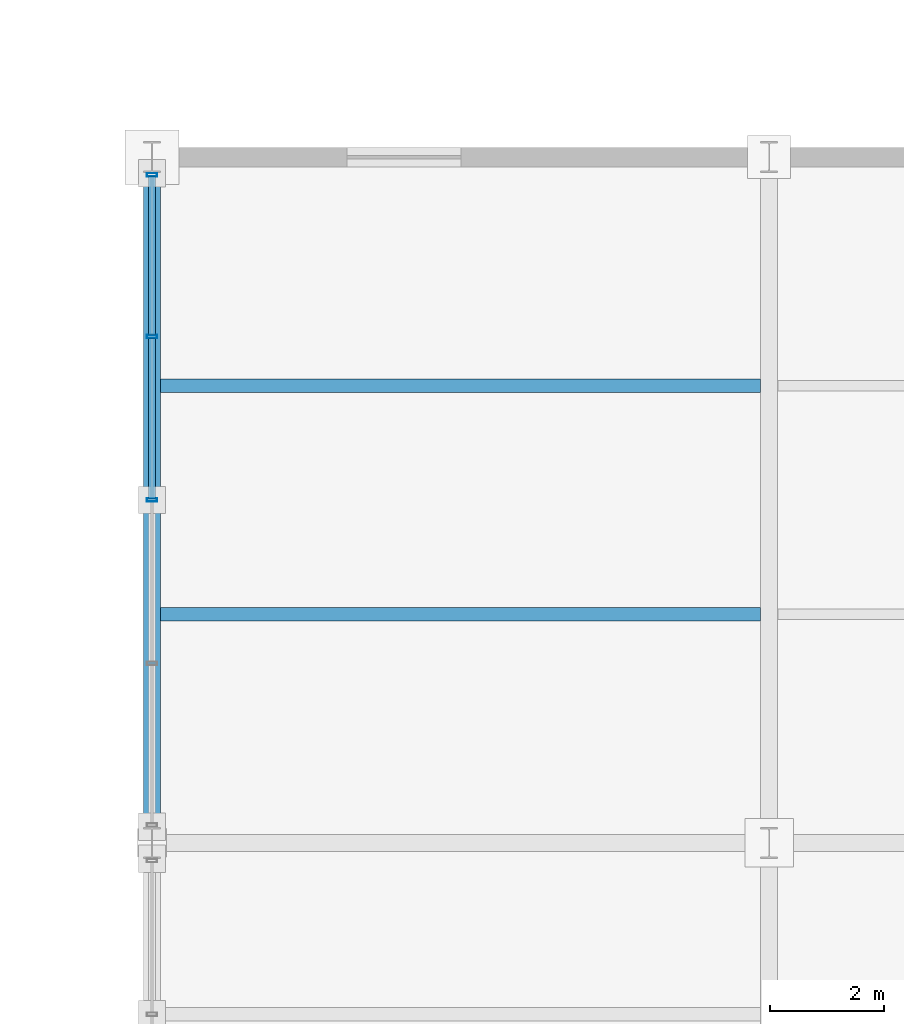
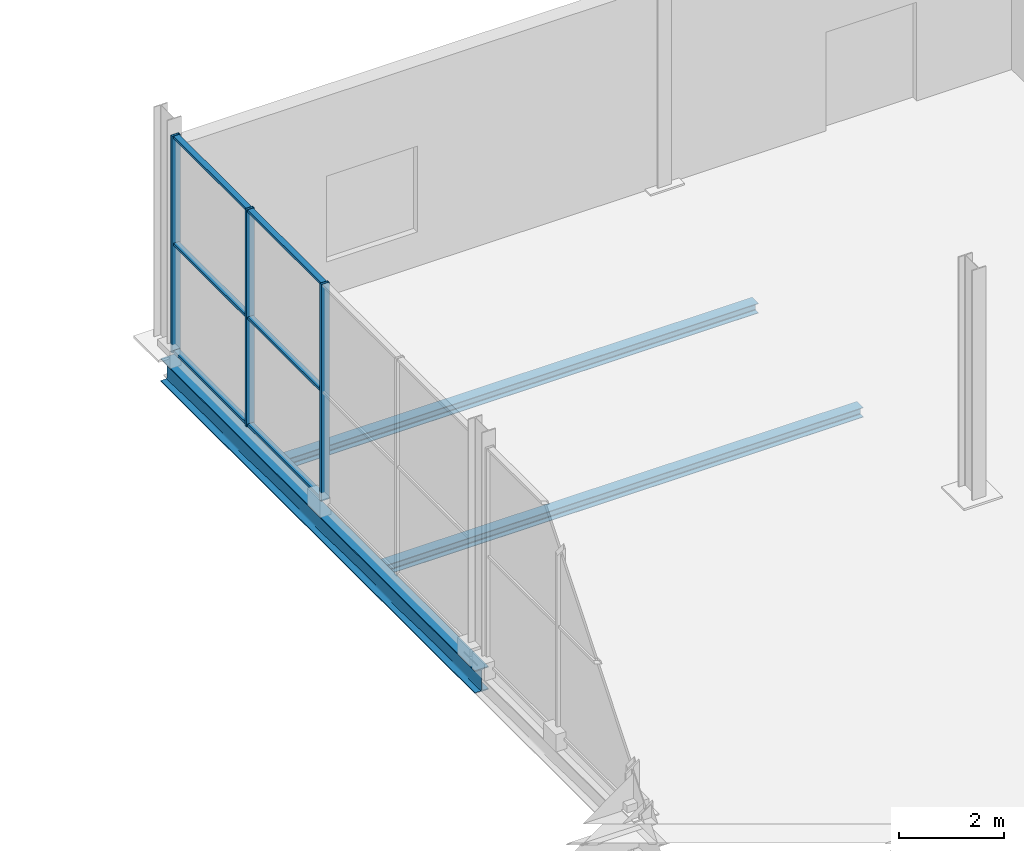
# One storey, part 139 of 196: 9 members, 3 beams, 1 element without a shape of its own.
"""IFC4 building model written with IfcOpenShell, lengths in metres."""

from ifc_helpers import new_model, si_unit, direction, frame, origin, origin_2d, place, context, subcontext, project, spatial, hollow_rectangle, i_section, extrude, material, material_profile, profile_set, type_object, element, aggregate, save


model = new_model("IFC4")

# Units and contexts
model_context = context("Model", 3, precision=1e-05, world=origin(), true_north=direction((0.0, 1.0)))
body_context = subcontext(model_context, "Body", "Model", "MODEL_VIEW")
ifc_project = project(units=[si_unit("LENGTHUNIT", "METRE"), si_unit("AREAUNIT", "SQUARE_METRE"), si_unit("VOLUMEUNIT", "CUBIC_METRE"), si_unit("PLANEANGLEUNIT", "RADIAN"), si_unit("MASSUNIT", "GRAM", prefix="KILO")], contexts=[model_context])

# Site, building, storey
site_placement = place(None, origin())
site = spatial("IfcSite", under=ifc_project, at=site_placement, CompositionType="ELEMENT")
building_placement = place(site_placement, origin())
building = spatial("IfcBuilding", under=site, at=building_placement, Name="Merenkruunu Market Hall", CompositionType="ELEMENT")
storey_placement = place(building_placement, origin())
storey = spatial("IfcBuildingStorey", under=building, at=storey_placement, Name="L00", CompositionType="ELEMENT", Elevation=0.0)

# Curtain wall, members
ifc_material_1 = material(Name="Powder-coated aluminium", Category="aluminium")
curtain_wall_type = type_object("IfcCurtainWallType", Name="Glazed Curtain Wall CW14", PredefinedType="USERDEFINED", material=ifc_material_1)
curtain_wall_placement = place(storey_placement, origin())
curtain_wall = element("IfcCurtainWall", 1, at=curtain_wall_placement, inside=storey, type_object=curtain_wall_type, Name="CW-L00-CWM02-206", ObjectType="GLAZED_FACADE", PredefinedType="USERDEFINED")
ifc_material_profile_1 = material_profile(ifc_material_1, hollow_rectangle(XDim=0.06005859375, YDim=0.179931640625, WallThickness=0.00390625, at=origin_2d()), Name="ALU 60x180x4")
ifc_profile_set_1 = profile_set([ifc_material_profile_1], Name="Powder-coated aluminium")
member_type_1 = type_object("IfcMemberType", Name="Curtain Wall Mullion CWM02", PredefinedType="MULLION", material=ifc_profile_set_1)
member_1_placement = place(storey_placement, frame((148.800048828125, 57.60009765625, 0.0), z_axis=(0.0, 0.0, 1.0), x_axis=(0.0, 1.0, 0.0)))
member_1 = element("IfcMember", 2, at=member_1_placement, type_object=member_type_1, Name="CW14 mullion 3", PredefinedType="MULLION", context=body_context, shape_type="SweptSolid", body=[
    extrude(hollow_rectangle(XDim=0.06005859375, YDim=0.179931640625, WallThickness=0.00390625, at=origin_2d()), origin(), (0.0, 0.0, 1.0), 5.050048828125),
])
member_2_placement = place(storey_placement, frame((148.800048828125, 60.4599609375, 0.0), z_axis=(0.0, 0.0, 1.0), x_axis=(0.0, 1.0, 0.0)))
member_2 = element("IfcMember", 3, at=member_2_placement, type_object=member_type_1, Name="CW14 mullion 4", PredefinedType="MULLION", context=body_context, shape_type="SweptSolid", body=[
    extrude(hollow_rectangle(XDim=0.06005859375, YDim=0.179931640625, WallThickness=0.00390625, at=origin_2d()), origin(), (0.0, 0.0, 1.0), 5.050048828125),
])
member_3_placement = place(storey_placement, frame((148.800048828125, 63.2900390625, 0.0), z_axis=(0.0, 0.0, 1.0), x_axis=(0.0, 1.0, 0.0)))
member_3 = element("IfcMember", 4, at=member_3_placement, type_object=member_type_1, Name="CW14 mullion 5", PredefinedType="MULLION", context=body_context, shape_type="SweptSolid", body=[
    extrude(hollow_rectangle(XDim=0.06005859375, YDim=0.179931640625, WallThickness=0.00390625, at=origin_2d()), origin(), (0.0, 0.0, 1.0), 5.050048828125),
])
ifc_material_profile_2 = material_profile(ifc_material_1, hollow_rectangle(XDim=0.06005859375, YDim=0.125, WallThickness=0.00390625, at=origin_2d()), Name="ALU 60x125x4")
ifc_profile_set_2 = profile_set([ifc_material_profile_2], Name="Powder-coated aluminium")
member_type_2 = type_object("IfcMemberType", Name="Curtain Wall Transom CWT01", PredefinedType="USERDEFINED", material=ifc_profile_set_2)
member_4_placement = place(storey_placement, frame((148.800048828125, 57.6298828125, 0.030029296875), z_axis=(0.0, 1.0, 0.0), x_axis=(0.0, 0.0, 1.0)))
member_4 = element("IfcMember", 5, at=member_4_placement, type_object=member_type_2, Name="CW14 transom 3.1", ObjectType="TRANSOM", PredefinedType="USERDEFINED", context=body_context, shape_type="SweptSolid", body=[
    extrude(hollow_rectangle(XDim=0.06005859375, YDim=0.125, WallThickness=0.00390625, at=origin_2d()), origin(), (0.0, 0.0, 1.0), 2.800048828125),
])
member_5_placement = place(storey_placement, frame((148.800048828125, 57.6298828125, 2.52490234375), z_axis=(0.0, 1.0, 0.0), x_axis=(0.0, 0.0, 1.0)))
member_5 = element("IfcMember", 6, at=member_5_placement, type_object=member_type_2, Name="CW14 transom 3.2", ObjectType="TRANSOM", PredefinedType="USERDEFINED", context=body_context, shape_type="SweptSolid", body=[
    extrude(hollow_rectangle(XDim=0.06005859375, YDim=0.125, WallThickness=0.00390625, at=origin_2d()), origin(), (0.0, 0.0, 1.0), 2.800048828125),
])
member_6_placement = place(storey_placement, frame((148.800048828125, 57.6298828125, 5.02001953125), z_axis=(0.0, 1.0, 0.0), x_axis=(0.0, 0.0, 1.0)))
member_6 = element("IfcMember", 7, at=member_6_placement, type_object=member_type_2, Name="CW14 transom 3.3", ObjectType="TRANSOM", PredefinedType="USERDEFINED", context=body_context, shape_type="SweptSolid", body=[
    extrude(hollow_rectangle(XDim=0.06005859375, YDim=0.125, WallThickness=0.00390625, at=origin_2d()), origin(), (0.0, 0.0, 1.0), 2.800048828125),
])
member_7_placement = place(storey_placement, frame((148.800048828125, 60.489990234375, 0.030029296875), z_axis=(0.0, 1.0, 0.0), x_axis=(0.0, 0.0, 1.0)))
member_7 = element("IfcMember", 8, at=member_7_placement, type_object=member_type_2, Name="CW14 transom 4.1", ObjectType="TRANSOM", PredefinedType="USERDEFINED", context=body_context, shape_type="SweptSolid", body=[
    extrude(hollow_rectangle(XDim=0.06005859375, YDim=0.125, WallThickness=0.00390625, at=origin_2d()), origin(), (0.0, 0.0, 1.0), 2.77001953125),
])
member_8_placement = place(storey_placement, frame((148.800048828125, 60.489990234375, 2.52490234375), z_axis=(0.0, 1.0, 0.0), x_axis=(0.0, 0.0, 1.0)))
member_8 = element("IfcMember", 9, at=member_8_placement, type_object=member_type_2, Name="CW14 transom 4.2", ObjectType="TRANSOM", PredefinedType="USERDEFINED", context=body_context, shape_type="SweptSolid", body=[
    extrude(hollow_rectangle(XDim=0.06005859375, YDim=0.125, WallThickness=0.00390625, at=origin_2d()), origin(), (0.0, 0.0, 1.0), 2.77001953125),
])
member_9_placement = place(storey_placement, frame((148.800048828125, 60.489990234375, 5.02001953125), z_axis=(0.0, 1.0, 0.0), x_axis=(0.0, 0.0, 1.0)))
member_9 = element("IfcMember", 10, at=member_9_placement, type_object=member_type_2, Name="CW14 transom 4.3", ObjectType="TRANSOM", PredefinedType="USERDEFINED", context=body_context, shape_type="SweptSolid", body=[
    extrude(hollow_rectangle(XDim=0.06005859375, YDim=0.125, WallThickness=0.00390625, at=origin_2d()), origin(), (0.0, 0.0, 1.0), 2.77001953125),
])
aggregate(curtain_wall, [member_1, member_2, member_3, member_4, member_5, member_6, member_7, member_8, member_9])

# Beams
ifc_material_2 = material(Name="Steel S355J2", Category="steel")
ifc_material_profile_3 = material_profile(ifc_material_2, i_section(OverallWidth=0.300048828125, OverallDepth=0.5400390625, WebThickness=0.012451171875, FlangeThickness=0.02392578125, FilletRadius=0.027099609375, at=origin_2d()), Name="HEA 550")
ifc_profile_set_3 = profile_set([ifc_material_profile_3], Name="Steel S355J2")
beam_type_1 = type_object("IfcBeamType", Name="Primary Floor Girder B06", PredefinedType="BEAM", material=ifc_profile_set_3)
beam_placement = place(storey_placement, frame((148.800048828125, 51.60009765625, -0.570068359375), z_axis=(0.0, 1.0, 0.0), x_axis=(-1.0, 0.0, 0.0)))
element("IfcBeam", 11, at=beam_placement, inside=storey, type_object=beam_type_1, Name="BM-L00-B06-0245", PredefinedType="BEAM", context=body_context, shape_type="SweptSolid", body=[
    extrude(i_section(OverallWidth=0.300048828125, OverallDepth=0.5400390625, WebThickness=0.012451171875, FlangeThickness=0.02392578125, FilletRadius=0.027099609375, at=origin_2d()), origin(), (0.0, 0.0, 1.0), 12.0),
])
ifc_material_profile_4 = material_profile(ifc_material_2, i_section(OverallWidth=0.239990234375, OverallDepth=0.22998046875, WebThickness=0.007568359375, FlangeThickness=0.011962890625, FilletRadius=0.02099609375, at=origin_2d()), Name="HEA 240")
ifc_profile_set_4 = profile_set([ifc_material_profile_4], Name="Steel S355J2")
beam_type_2 = type_object("IfcBeamType", Name="Secondary Floor Joist J06", PredefinedType="JOIST", material=ifc_profile_set_4)
for number, where, z_axis, x_axis, name in (
    (12, (148.952880859375, 55.60009765625, -0.4150390625), (1.0, 0.0, 0.0), (0.0, 1.0, 0.0), "BM-L00-J06-0431"),
    (13, (148.952880859375, 59.60009765625, -0.4150390625), (1.0, 0.0, 0.0), (0.0, 1.0, 0.0), "BM-L00-J06-0432"),
):
    element("IfcBeam", number, at=place(storey_placement, frame(where, z_axis=z_axis, x_axis=x_axis)), inside=storey, type_object=beam_type_2, Name=name, PredefinedType="JOIST", context=body_context, shape_type="SweptSolid", body=[
        extrude(i_section(OverallWidth=0.239990234375, OverallDepth=0.22998046875, WebThickness=0.007568359375, FlangeThickness=0.011962890625, FilletRadius=0.02099609375, at=origin_2d()), origin(), (0.0, 0.0, 1.0), 10.494140625),
    ])

save(model, "model.ifc")
